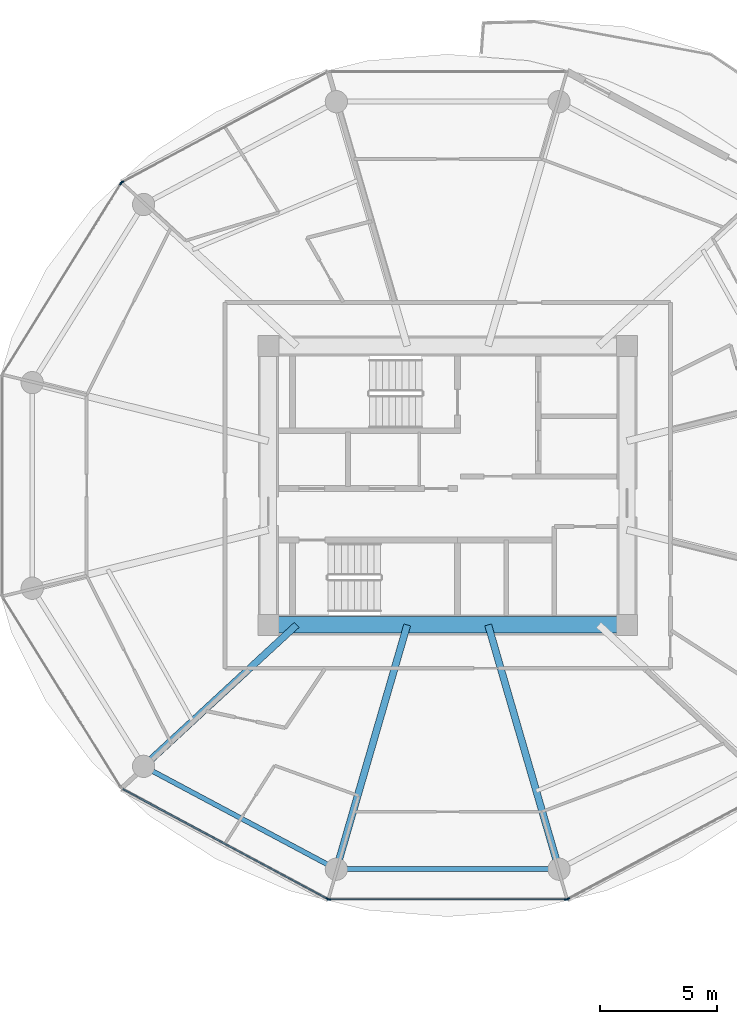
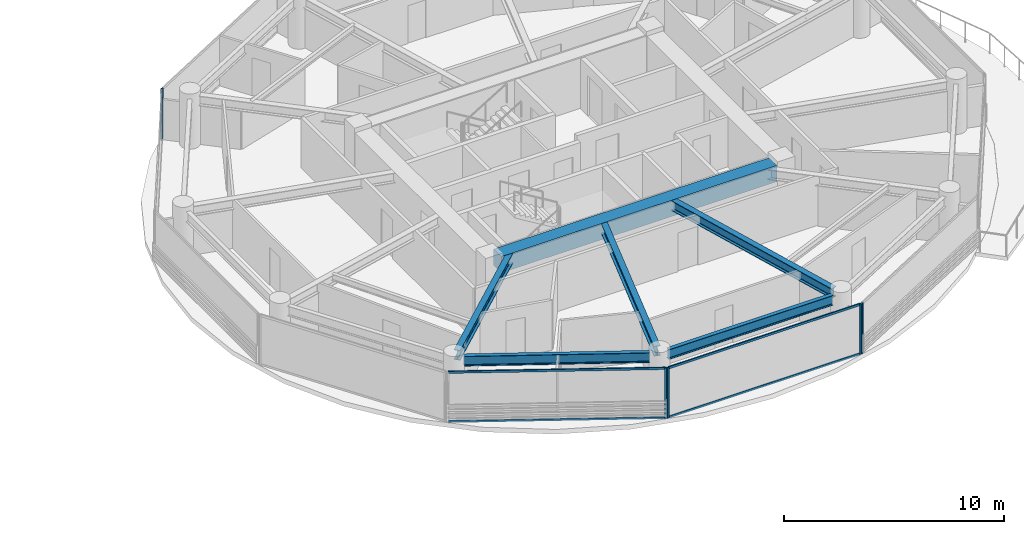
# One storey, part 10 of 27: 10 members, 6 beams, 5 elements without a shape of their own.
"""IFC4 building model written with IfcOpenShell, lengths in metres."""

import ifcopenshell
import ifcopenshell.guid

model = None  # the IFC model being written
_history = None  # IfcOwnerHistory: only IFC2X3 demands one
_inside = {}  # id of a spatial element -> (the spatial element, [elements in it])
_under = {}  # id of a project, library or spatial element -> (it, [spatial elements below it])
_declared = {}  # id of a project -> (the project, [libraries it declares])
_typed = {}  # id of a type object -> (the type object, [elements of that type])
_made_of = {}  # id of a material, layer set ... -> (it, [elements and type objects made of it])


def new_model(schema):
    """Start an empty IFC model of exactly this schema.

    Asked for "IFC4X3", IfcOpenShell would pick the latest addendum, in which some entities
    have other attributes; the version numbers below select the first issue.
    IFC2X3 requires an IfcOwnerHistory on every rooted entity: one is made here for all.
    """
    global model, _history
    if schema == "IFC4X3":
        model = ifcopenshell.file(schema_version=(4, 3, 0, 0))
    else:
        model = ifcopenshell.file(schema=schema)
    _inside.clear()
    _under.clear()
    _declared.clear()
    _typed.clear()
    _made_of.clear()
    _history = None
    if model.schema == "IFC2X3":
        org = make("IfcOrganization", Name="unknown")
        user = make(
            "IfcPersonAndOrganization",
            ThePerson=make("IfcPerson", FamilyName="unknown"),
            TheOrganization=org,
        )
        app = make(
            "IfcApplication",
            ApplicationDeveloper=org,
            Version="unknown",
            ApplicationFullName="unknown",
            ApplicationIdentifier="unknown",
        )
        _history = make(
            "IfcOwnerHistory",
            OwningUser=user,
            OwningApplication=app,
            ChangeAction="ADDED",
            CreationDate=0,
        )
    return model


def make(cls, **values):
    """One entity of the class cls with the attributes given. An attribute that is None is left unset."""
    return model.create_entity(
        cls, **{name: value for name, value in values.items() if value is not None}
    )


def rooted(cls, **values):
    """An entity with a GlobalId (a new one), such as an element, a storey or a relation."""
    return make(cls, GlobalId=ifcopenshell.guid.new(), OwnerHistory=_history, **values)


def si_unit(unit_type, name, prefix=None):
    """IfcSIUnit, for example si_unit("LENGTHUNIT", "METRE", prefix="MILLI")."""
    return make("IfcSIUnit", UnitType=unit_type, Prefix=prefix, Name=name)


def assignment(units):
    """IfcUnitAssignment: the units of a project."""
    return None if units is None else make("IfcUnitAssignment", Units=units)


def point(xyz):
    """IfcCartesianPoint."""
    return None if xyz is None else make("IfcCartesianPoint", Coordinates=xyz)


def direction(xyz):
    """IfcDirection."""
    return None if xyz is None else make("IfcDirection", DirectionRatios=xyz)


def frame(location, z_axis=None, x_axis=None):
    """IfcAxis2Placement3D, a coordinate frame: its origin and axes. An axis left out is left unset."""
    return make(
        "IfcAxis2Placement3D",
        Location=point(location),
        Axis=direction(z_axis),
        RefDirection=direction(x_axis),
    )


def frame_2d(location, x_axis=None):
    """IfcAxis2Placement2D, a coordinate frame in the plane: its origin and x axis."""
    return make(
        "IfcAxis2Placement2D", Location=point(location), RefDirection=direction(x_axis)
    )


def origin():
    """The frame at (0, 0, 0) with its axes left unset."""
    return frame((0.0, 0.0, 0.0))


def origin_2d():
    """The frame at (0, 0) in the plane with its x axis left unset."""
    return frame_2d((0.0, 0.0))


def place(relative_to, where):
    """IfcLocalPlacement: puts the frame where relative to a parent placement (None: the world)."""
    return make(
        "IfcLocalPlacement", PlacementRelTo=relative_to, RelativePlacement=where
    )


def context(
    kind, dimensions, precision=None, world=None, true_north=None, identifier=None
):
    """IfcGeometricRepresentationContext, for example the 3D "Model" context."""
    return make(
        "IfcGeometricRepresentationContext",
        ContextIdentifier=identifier,
        ContextType=kind,
        CoordinateSpaceDimension=dimensions,
        Precision=precision,
        WorldCoordinateSystem=world,
        TrueNorth=true_north,
    )


def subcontext(parent, identifier, kind, view, scale=None):
    """IfcGeometricRepresentationSubContext, for example "Body" below "Model"."""
    return make(
        "IfcGeometricRepresentationSubContext",
        ContextIdentifier=identifier,
        ContextType=kind,
        ParentContext=parent,
        TargetScale=scale,
        TargetView=view,
    )


def project(units=None, contexts=None):
    """IfcProject with its units and contexts."""
    return rooted(
        "IfcProject",
        Name="project",
        RepresentationContexts=contexts,
        UnitsInContext=assignment(units),
    )


def spatial(cls, under=None, at=None, **own):
    """A site, building, storey or space (cls), placed at a placement, below another one or the project."""
    s = rooted(cls, ObjectPlacement=at, **own)
    if under is not None:
        _under.setdefault(under.id(), (under, []))[1].append(s)
    return s


def profile(cls, at=None, kind="AREA", **sizes):
    """A parametric profile (cls). Its sizes go by their IFC names, for example OverallWidth=200.0."""
    return make(cls, ProfileType=kind, Position=at, **sizes)


def rectangle(**sizes):
    """IfcRectangleProfileDef."""
    return profile("IfcRectangleProfileDef", **sizes)


def i_section(**sizes):
    """IfcIShapeProfileDef."""
    return profile("IfcIShapeProfileDef", **sizes)


def extrude(swept, where, along, depth):
    """IfcExtrudedAreaSolid: the profile swept, set in the frame where, extruded along a direction by depth."""
    return make(
        "IfcExtrudedAreaSolid",
        SweptArea=swept,
        Position=where,
        ExtrudedDirection=direction(along),
        Depth=depth,
    )


def shape(context_of_items, identifier, shape_type, items):
    """IfcShapeRepresentation: the items that make up one representation, for example the "Body"."""
    return make(
        "IfcShapeRepresentation",
        ContextOfItems=context_of_items,
        RepresentationIdentifier=identifier,
        RepresentationType=shape_type,
        Items=items,
    )


def source(mapping_origin, context_of_items, identifier, shape_type, items):
    """IfcRepresentationMap: a shape defined once, which mapped items show again and again."""
    return make(
        "IfcRepresentationMap",
        MappingOrigin=mapping_origin,
        MappedRepresentation=shape(context_of_items, identifier, shape_type, items),
    )


def transform(
    local_origin,
    x_axis=None,
    y_axis=None,
    z_axis=None,
    scale=None,
    scale2=None,
    scale3=None,
    uniform=True,
):
    """IfcCartesianTransformationOperator3D, or its non-uniform kind. x_axis, y_axis, z_axis: its Axis1, 2, 3."""
    if uniform:
        return make(
            "IfcCartesianTransformationOperator3D",
            Axis1=direction(x_axis),
            Axis2=direction(y_axis),
            LocalOrigin=point(local_origin),
            Scale=scale,
            Axis3=direction(z_axis),
        )
    return make(
        "IfcCartesianTransformationOperator3DnonUniform",
        Axis1=direction(x_axis),
        Axis2=direction(y_axis),
        LocalOrigin=point(local_origin),
        Scale=scale,
        Axis3=direction(z_axis),
        Scale2=scale2,
        Scale3=scale3,
    )


def mapped(mapping_source, mapping_target):
    """IfcMappedItem: shows the shape of a source again, moved by a transform."""
    return make(
        "IfcMappedItem", MappingSource=mapping_source, MappingTarget=mapping_target
    )


def material(Name=None, Category=None):
    """IfcMaterial."""
    return make("IfcMaterial", Name=Name, Category=Category)


def layer(
    of_material, thickness, ventilated=None, Name=None, Category=None, Priority=None
):
    """IfcMaterialLayer: one layer of a wall or slab, of a material (None: an air gap)."""
    return make(
        "IfcMaterialLayer",
        Material=of_material,
        LayerThickness=thickness,
        IsVentilated=ventilated,
        Name=Name,
        Category=Category,
        Priority=Priority,
    )


def layer_set(layers, Name=None):
    """IfcMaterialLayerSet."""
    return make("IfcMaterialLayerSet", MaterialLayers=layers, LayerSetName=Name)


def material_profile(
    of_material, cross_section, Name=None, Category=None, Priority=None
):
    """IfcMaterialProfile: a cross section and its material."""
    return make(
        "IfcMaterialProfile",
        Name=Name,
        Material=of_material,
        Profile=cross_section,
        Priority=Priority,
        Category=Category,
    )


def profile_set(profiles, Name=None, composite=None):
    """IfcMaterialProfileSet."""
    return make(
        "IfcMaterialProfileSet",
        Name=Name,
        MaterialProfiles=profiles,
        CompositeProfile=composite,
    )


def made_of(thing, what):
    """Note that an element or type object is made of a material, layer set ...; save() writes the relation."""
    if what is not None:
        _made_of.setdefault(what.id(), (what, []))[1].append(thing)
    return thing


def type_object(cls, material=None, **own):
    """A type object (cls), such as IfcWallType, which elements share."""
    return made_of(rooted(cls, **own), material)


def type_shapes(of_type, sources):
    """Give a type object the sources (RepresentationMaps) that its elements show as mapped items."""
    of_type.RepresentationMaps = sources


def element(
    cls,
    number,
    at=None,
    inside=None,
    cuts=None,
    type_object=None,
    material=None,
    context=None,
    identifier="Body",
    shape_type=None,
    held_by="IfcProductDefinitionShape",
    body=None,
    shapes=None,
    **own,
):
    """One element of the class cls, such as IfcWall. Its Tag is "e" and its number.

    at: its placement. inside: the storey or other place that contains it. cuts: it is an
    opening in that element (IfcRelVoidsElement). A single representation is given by context,
    identifier, shape_type and body (its items); several are given by shapes. held_by: the class
    of the entity that holds the representations. save() writes the other relations.
    """
    e = rooted(cls, Tag="e%d" % number, ObjectPlacement=at, **own)
    if body is not None:
        shapes = [shape(context, identifier, shape_type, body)]
    if shapes is not None:
        e.Representation = make(held_by, Representations=shapes)
    if inside is not None:
        _inside.setdefault(inside.id(), (inside, []))[1].append(e)
    if cuts is not None:
        rooted(
            "IfcRelVoidsElement", RelatingBuildingElement=cuts, RelatedOpeningElement=e
        )
    if type_object is not None:
        _typed.setdefault(type_object.id(), (type_object, []))[1].append(e)
    return made_of(e, material)


def aggregate(whole, parts):
    """IfcRelAggregates: a whole, such as a stair, and the parts it consists of."""
    return rooted("IfcRelAggregates", RelatingObject=whole, RelatedObjects=parts)


def save(model, path):
    """Write the relations noted so far, then the file.

    IfcRelAggregates (storeys below a building ...), IfcRelContainedInSpatialStructure (elements
    in a storey), IfcRelDefinesByType, IfcRelAssociatesMaterial and IfcRelDeclares: one each for
    every whole, place, type object, material and project.
    """
    for whole, parts in _under.values():
        aggregate(whole, parts)
    for where, things in _inside.values():
        rooted(
            "IfcRelContainedInSpatialStructure",
            RelatedElements=things,
            RelatingStructure=where,
        )
    for kind, things in _typed.values():
        rooted("IfcRelDefinesByType", RelatedObjects=things, RelatingType=kind)
    for what, things in _made_of.values():
        rooted("IfcRelAssociatesMaterial", RelatedObjects=things, RelatingMaterial=what)
    for by, libraries in _declared.values():
        rooted("IfcRelDeclares", RelatingContext=by, RelatedDefinitions=libraries)
    model.write(path)


model = new_model("IFC4")

# Units and contexts
model_context = context("Model", 3, precision=1e-05, world=origin(), true_north=direction((0.0, 1.0)))
body_context = subcontext(model_context, "Body", "Model", "MODEL_VIEW")
ifc_project = project(units=[si_unit("LENGTHUNIT", "METRE"), si_unit("AREAUNIT", "SQUARE_METRE"), si_unit("VOLUMEUNIT", "CUBIC_METRE"), si_unit("PLANEANGLEUNIT", "RADIAN"), si_unit("MASSUNIT", "GRAM", prefix="KILO")], contexts=[model_context])

# Site, building, storey
site_placement = place(None, origin())
site = spatial("IfcSite", under=ifc_project, at=site_placement, CompositionType="ELEMENT")
building_placement = place(site_placement, origin())
building = spatial("IfcBuilding", under=site, at=building_placement, Name="Norrkilde Senior Care Towers", CompositionType="ELEMENT")
storey_placement = place(building_placement, frame((0.0, 0.0, 46.0)))
storey = spatial("IfcBuildingStorey", under=building, at=storey_placement, Name="L13", CompositionType="ELEMENT", Elevation=46.0)

# Beams
ifc_material_1 = material(Name="Concrete C60/75", Category="concrete")
ifc_material_profile_1 = material_profile(ifc_material_1, rectangle(XDim=0.699951171875, YDim=0.89990234375, at=origin_2d()), Name="RC BM 700x900")
ifc_profile_set_1 = profile_set([ifc_material_profile_1], Name="Concrete C60/75")
beam_type_1 = type_object("IfcBeamType", Name="Core Coupling Girder 700x900", PredefinedType="USERDEFINED", material=ifc_profile_set_1)
shared_shape_1 = source(origin(), body_context, "Body", "SweptSolid", [
    extrude(rectangle(XDim=0.699951171875, YDim=0.89990234375, at=origin_2d()), origin(), (0.0, 0.0, 1.0), 14.43994140625),
])
type_shapes(beam_type_1, [shared_shape_1])
beam_1_placement = place(storey_placement, frame((20.780029296875, -5.949951171875, 2.340087890625), z_axis=(1.0, 0.0, 0.0), x_axis=(0.0, 1.0, 0.0)))
element("IfcBeam", 1, at=beam_1_placement, inside=storey, type_object=beam_type_1, Name="L13 Core E S Coupling Girder", ObjectType="GIRDER", PredefinedType="USERDEFINED", context=body_context, shape_type="MappedRepresentation", body=[
    mapped(shared_shape_1, transform((0.0, 0.0, 0.0), x_axis=(1.0, 0.0, 0.0), y_axis=(0.0, 1.0, 0.0), z_axis=(0.0, 0.0, 1.0), scale=1.0)),
])
ifc_material_2 = material(Name="Steel S355", Category="steel")
ifc_material_profile_2 = material_profile(ifc_material_2, i_section(OverallWidth=0.2099609375, OverallDepth=0.550048828125, WebThickness=0.010986328125, FlangeThickness=0.01708984375, FilletRadius=0.02392578125, at=origin_2d()), Name="IPE 550")
ifc_profile_set_2 = profile_set([ifc_material_profile_2], Name="Steel S355")
beam_type_2 = type_object("IfcBeamType", Name="Perimeter Ring Spandrel Z1 IPE550", PredefinedType="SPANDREL", material=ifc_profile_set_2)
shared_shape_2 = source(origin(), body_context, "Body", "SweptSolid", [
    extrude(i_section(OverallWidth=0.2099609375, OverallDepth=0.550048828125, WebThickness=0.010986328125, FlangeThickness=0.01708984375, FilletRadius=0.02392578125, at=origin_2d()), origin(), (0.0, 0.0, 1.0), 8.452880859375),
])
beam_2_placement = place(storey_placement, frame((15.408447265625, -12.190185546875, 2.514892578125), z_axis=(0.882368931134, -0.470558252898, 0.0), x_axis=(0.470558252898, 0.882368931134, 0.0)))
element("IfcBeam", 2, at=beam_2_placement, inside=storey, type_object=beam_type_2, Name="L13 Drum E Perimeter Spandrel 08", PredefinedType="SPANDREL", context=body_context, shape_type="MappedRepresentation", body=[
    mapped(shared_shape_2, transform((0.0, 0.0, 0.0), x_axis=(1.0, 0.0, 0.0), y_axis=(0.0, 1.0, 0.0), z_axis=(0.0, 0.0, 1.0), scale=1.0)),
])
ifc_material_profile_3 = material_profile(ifc_material_2, i_section(OverallWidth=0.300048828125, OverallDepth=0.550048828125, WebThickness=0.014892578125, FlangeThickness=0.029052734375, FilletRadius=0.027099609375, at=origin_2d()), Name="HEB 550")
ifc_profile_set_3 = profile_set([ifc_material_profile_3], Name="Steel S355")
beam_type_3 = type_object("IfcBeamType", Name="Radial Floor Beam Z1 HEB550", PredefinedType="BEAM", material=ifc_profile_set_3)
shared_shape_3 = source(origin(), body_context, "Body", "SweptSolid", [
    extrude(i_section(OverallWidth=0.300048828125, OverallDepth=0.550048828125, WebThickness=0.014892578125, FlangeThickness=0.029052734375, FilletRadius=0.027099609375, at=origin_2d()), origin(), (0.0, 0.0, 1.0), 8.459716796875),
])
beam_3_placement = place(storey_placement, frame((21.55859375, -5.949951171875, 2.514892578125), z_axis=(-0.734573269108, -0.678529374686, 0.0), x_axis=(0.678529374686, -0.734573269108, 0.0)))
element("IfcBeam", 3, at=beam_3_placement, inside=storey, type_object=beam_type_3, Name="L13 Drum E Radial Floor Beam 08", PredefinedType="BEAM", context=body_context, shape_type="MappedRepresentation", body=[
    mapped(shared_shape_3, transform((0.0, 0.0, 0.0), x_axis=(1.0, 0.0, 0.0), y_axis=(0.0, 1.0, 0.0), z_axis=(0.0, 0.0, 1.0), scale=1.0)),
])
shared_shape_4 = source(origin(), body_context, "Body", "SweptSolid", [
    extrude(i_section(OverallWidth=0.2099609375, OverallDepth=0.550048828125, WebThickness=0.010986328125, FlangeThickness=0.01708984375, FilletRadius=0.02392578125, at=origin_2d()), origin(), (0.0, 0.0, 1.0), 8.62841796875),
])
type_shapes(beam_type_2, [shared_shape_2, shared_shape_4])
beam_4_placement = place(storey_placement, frame((23.685791015625, -16.37255859375, 2.514892578125), z_axis=(1.0, 0.0, 0.0), x_axis=(0.0, 1.0, 0.0)))
element("IfcBeam", 4, at=beam_4_placement, inside=storey, type_object=beam_type_2, Name="L13 Drum E Perimeter Spandrel 09", PredefinedType="SPANDREL", context=body_context, shape_type="MappedRepresentation", body=[
    mapped(shared_shape_4, transform((0.0, 0.0, 0.0), x_axis=(1.0, 0.0, 0.0), y_axis=(0.0, 1.0, 0.0), z_axis=(0.0, 0.0, 1.0), scale=1.0)),
])
shared_shape_5 = source(origin(), body_context, "Body", "SweptSolid", [
    extrude(i_section(OverallWidth=0.300048828125, OverallDepth=0.550048828125, WebThickness=0.014892578125, FlangeThickness=0.029052734375, FilletRadius=0.027099609375, at=origin_2d()), origin(), (0.0, 0.0, 1.0), 10.4169921875),
])
type_shapes(beam_type_3, [shared_shape_3, shared_shape_5])
for number, where, z_axis, x_axis, name in (
    (5, (26.27392578125, -5.949951171875, 2.514892578125), (-0.278591250785, -0.960409764104, 0.0), (0.960409764104, -0.278591250785, 0.0), "L13 Drum E Radial Floor Beam 09"),
    (6, (29.72607421875, -5.949951171875, 2.514892578125), (0.278591250785, -0.960409764104, 0.0), (0.960409764104, 0.278591250785, 0.0), "L13 Drum E Radial Floor Beam 10"),
):
    element("IfcBeam", number, at=place(storey_placement, frame(where, z_axis=z_axis, x_axis=x_axis)), inside=storey, type_object=beam_type_3, Name=name, PredefinedType="BEAM", context=body_context, shape_type="MappedRepresentation", body=[
        mapped(shared_shape_5, transform((0.0, 0.0, 0.0), x_axis=(1.0, 0.0, 0.0), y_axis=(0.0, 1.0, 0.0), z_axis=(0.0, 0.0, 1.0), scale=1.0)),
    ])

# Curtain wall, member
ifc_material_3 = material(Name="Triple Low-E Insulated Glazing", Category="glass")
ifc_layer = layer(ifc_material_3, 0.199951171875)
ifc_layer_set = layer_set([ifc_layer], Name="Triple Low-E Insulated Glazing")
curtain_wall_type = type_object("IfcCurtainWallType", Name="CW2 Zone 1 Memory Care Curtain Wall", PredefinedType="NOTDEFINED", material=ifc_layer_set)
curtain_wall_1_placement = place(storey_placement, origin())
curtain_wall_1 = element("IfcCurtainWall", 7, at=curtain_wall_1_placement, inside=storey, type_object=curtain_wall_type, Name="L13 Drum E Curtain Wall 03", PredefinedType="NOTDEFINED")
ifc_material_4 = material(Name="Anodised Aluminium", Category="aluminium")
ifc_material_profile_4 = material_profile(ifc_material_4, rectangle(XDim=0.06494140625, YDim=0.159912109375, at=origin_2d()), Name="ALU MULL 65x160")
ifc_profile_set_4 = profile_set([ifc_material_profile_4], Name="Anodised Aluminium")
member_type_1 = type_object("IfcMemberType", Name="Curtain Wall Mullion Z1-Z2 65x160", PredefinedType="MULLION", material=ifc_profile_set_4)
shared_shape_6 = source(origin(), body_context, "Body", "SweptSolid", [
    extrude(rectangle(XDim=0.06494140625, YDim=0.159912109375, at=origin_2d()), origin(), (0.0, 0.0, 1.0), 2.7900390625),
])
type_shapes(member_type_1, [shared_shape_6])
member_1_placement = place(storey_placement, frame((14.11279296875, 12.941162109375, 0.0), z_axis=(0.0, 0.0, 1.0), x_axis=(-0.472607802456, 0.881272866403, 0.0)))
member_1 = element("IfcMember", 8, at=member_1_placement, type_object=member_type_1, Name="CW-2 mullion 1", PredefinedType="MULLION", context=body_context, shape_type="MappedRepresentation", body=[
    mapped(shared_shape_6, transform((0.0, 0.0, 0.0), x_axis=(1.0, 0.0, 0.0), y_axis=(0.0, 1.0, 0.0), z_axis=(0.0, 0.0, 1.0), scale=1.0)),
])
aggregate(curtain_wall_1, [member_1])

curtain_wall_2_placement = place(storey_placement, origin())
curtain_wall_2 = element("IfcCurtainWall", 9, at=curtain_wall_2_placement, inside=storey, type_object=curtain_wall_type, Name="L13 Drum E Curtain Wall 04", PredefinedType="NOTDEFINED")
member_2_placement = place(storey_placement, frame((14.06689453125, 12.898193359375, 0.0), z_axis=(0.0, 0.0, 1.0), x_axis=(-0.849305943117, 0.527900951871, 0.0)))
member_2 = element("IfcMember", 10, at=member_2_placement, type_object=member_type_1, Name="CW-2 mullion 2", PredefinedType="MULLION", context=body_context, shape_type="MappedRepresentation", body=[
    mapped(shared_shape_6, transform((0.0, 0.0, 0.0), x_axis=(1.0, 0.0, 0.0), y_axis=(0.0, 1.0, 0.0), z_axis=(0.0, 0.0, 1.0), scale=1.0)),
])
aggregate(curtain_wall_2, [member_2])

curtain_wall_3_placement = place(storey_placement, origin())
curtain_wall_3 = element("IfcCurtainWall", 11, at=curtain_wall_3_placement, inside=storey, type_object=curtain_wall_type, Name="L13 Drum E Curtain Wall 07", PredefinedType="NOTDEFINED")
member_3_placement = place(storey_placement, frame((22.877685546875, -17.641845703125, 0.0), z_axis=(0.0, 0.0, 1.0), x_axis=(-0.472607802456, -0.881272866403, 0.0)))
member_3 = element("IfcMember", 12, at=member_3_placement, type_object=member_type_1, Name="CW-2 mullion 1", PredefinedType="MULLION", context=body_context, shape_type="MappedRepresentation", body=[
    mapped(shared_shape_6, transform((0.0, 0.0, 0.0), x_axis=(1.0, 0.0, 0.0), y_axis=(0.0, 1.0, 0.0), z_axis=(0.0, 0.0, 1.0), scale=1.0)),
])

# Curtain wall, members
curtain_wall_4_placement = place(storey_placement, origin())
curtain_wall_4 = element("IfcCurtainWall", 13, at=curtain_wall_4_placement, inside=storey, type_object=curtain_wall_type, Name="L13 Drum E Curtain Wall 08", PredefinedType="NOTDEFINED")
member_4_placement = place(storey_placement, frame((33.06103515625, -17.6572265625, 0.0), z_axis=(0.0, 0.0, 1.0), x_axis=(0.0, -1.0, 0.0)))
member_4 = element("IfcMember", 14, at=member_4_placement, type_object=member_type_1, Name="CW-2 mullion 1", PredefinedType="MULLION", context=body_context, shape_type="MappedRepresentation", body=[
    mapped(shared_shape_6, transform((0.0, 0.0, 0.0), x_axis=(1.0, 0.0, 0.0), y_axis=(0.0, 1.0, 0.0), z_axis=(0.0, 0.0, 1.0), scale=1.0)),
])
member_5_placement = place(storey_placement, frame((22.93896484375, -17.6572265625, 0.0), z_axis=(0.0, 0.0, 1.0), x_axis=(0.0, -1.0, 0.0)))
member_5 = element("IfcMember", 15, at=member_5_placement, type_object=member_type_1, Name="CW-2 mullion 2", PredefinedType="MULLION", context=body_context, shape_type="MappedRepresentation", body=[
    mapped(shared_shape_6, transform((0.0, 0.0, 0.0), x_axis=(1.0, 0.0, 0.0), y_axis=(0.0, 1.0, 0.0), z_axis=(0.0, 0.0, 1.0), scale=1.0)),
])

# Curtain wall, member
curtain_wall_5_placement = place(storey_placement, origin())
curtain_wall_5 = element("IfcCurtainWall", 16, at=curtain_wall_5_placement, inside=storey, type_object=curtain_wall_type, Name="L13 Drum E Curtain Wall 09", PredefinedType="NOTDEFINED")
member_6_placement = place(storey_placement, frame((33.122314453125, -17.641845703125, 0.0), z_axis=(0.0, 0.0, 1.0), x_axis=(0.472607802456, -0.881272866403, 0.0)))
member_6 = element("IfcMember", 17, at=member_6_placement, type_object=member_type_1, Name="CW-2 mullion 2", PredefinedType="MULLION", context=body_context, shape_type="MappedRepresentation", body=[
    mapped(shared_shape_6, transform((0.0, 0.0, 0.0), x_axis=(1.0, 0.0, 0.0), y_axis=(0.0, 1.0, 0.0), z_axis=(0.0, 0.0, 1.0), scale=1.0)),
])
aggregate(curtain_wall_5, [member_6])

# Member
ifc_material_profile_5 = material_profile(ifc_material_4, rectangle(XDim=0.06005859375, YDim=0.1201171875, at=origin_2d()), Name="ALU TRAN 60x120")
ifc_profile_set_5 = profile_set([ifc_material_profile_5], Name="Anodised Aluminium")
member_type_2 = type_object("IfcMemberType", Name="Curtain Wall Transom Typical 60x120", PredefinedType="USERDEFINED", material=ifc_profile_set_5)
shared_shape_7 = source(origin(), body_context, "Body", "SweptSolid", [
    extrude(rectangle(XDim=0.06005859375, YDim=0.1201171875, at=origin_2d()), origin(), (0.0, 0.0, 1.0), 9.880859375),
])
member_7_placement = place(storey_placement, frame((22.84912109375, -17.62646484375, 0.030029296875), z_axis=(-0.881267204043, 0.47261836092, 0.0), x_axis=(-0.47261836092, -0.881267204043, 0.0)))
member_7 = element("IfcMember", 18, at=member_7_placement, type_object=member_type_2, Name="CW-2 transom 1.1", ObjectType="TRANSOM", PredefinedType="USERDEFINED", context=body_context, shape_type="MappedRepresentation", body=[
    mapped(shared_shape_7, transform((0.0, 0.0, 0.0), x_axis=(1.0, 0.0, 0.0), y_axis=(0.0, 1.0, 0.0), z_axis=(0.0, 0.0, 1.0), scale=1.0)),
])

member_8_placement = place(storey_placement, frame((22.84912109375, -17.62646484375, 2.760009765625), z_axis=(-0.881267204043, 0.47261836092, 0.0), x_axis=(-0.47261836092, -0.881267204043, 0.0)))
member_8 = element("IfcMember", 19, at=member_8_placement, type_object=member_type_2, Name="CW-2 transom 1.2", ObjectType="TRANSOM", PredefinedType="USERDEFINED", context=body_context, shape_type="MappedRepresentation", body=[
    mapped(shared_shape_7, transform((0.0, 0.0, 0.0), x_axis=(1.0, 0.0, 0.0), y_axis=(0.0, 1.0, 0.0), z_axis=(0.0, 0.0, 1.0), scale=1.0)),
])

aggregate(curtain_wall_3, [member_3, member_7, member_8])

shared_shape_8 = source(origin(), body_context, "Body", "SweptSolid", [
    extrude(rectangle(XDim=0.06005859375, YDim=0.1201171875, at=origin_2d()), origin(), (0.0, 0.0, 1.0), 10.05712890625),
])
type_shapes(member_type_2, [shared_shape_7, shared_shape_8])
member_9_placement = place(storey_placement, frame((33.028564453125, -17.6572265625, 0.030029296875), z_axis=(-1.0, 0.0, 0.0), x_axis=(0.0, -1.0, 0.0)))
member_9 = element("IfcMember", 20, at=member_9_placement, type_object=member_type_2, Name="CW-2 transom 1.1", ObjectType="TRANSOM", PredefinedType="USERDEFINED", context=body_context, shape_type="MappedRepresentation", body=[
    mapped(shared_shape_8, transform((0.0, 0.0, 0.0), x_axis=(1.0, 0.0, 0.0), y_axis=(0.0, 1.0, 0.0), z_axis=(0.0, 0.0, 1.0), scale=1.0)),
])

member_10_placement = place(storey_placement, frame((33.028564453125, -17.6572265625, 2.760009765625), z_axis=(-1.0, 0.0, 0.0), x_axis=(0.0, -1.0, 0.0)))
member_10 = element("IfcMember", 21, at=member_10_placement, type_object=member_type_2, Name="CW-2 transom 1.2", ObjectType="TRANSOM", PredefinedType="USERDEFINED", context=body_context, shape_type="MappedRepresentation", body=[
    mapped(shared_shape_8, transform((0.0, 0.0, 0.0), x_axis=(1.0, 0.0, 0.0), y_axis=(0.0, 1.0, 0.0), z_axis=(0.0, 0.0, 1.0), scale=1.0)),
])

aggregate(curtain_wall_4, [member_4, member_5, member_9, member_10])

save(model, "model.ifc")
